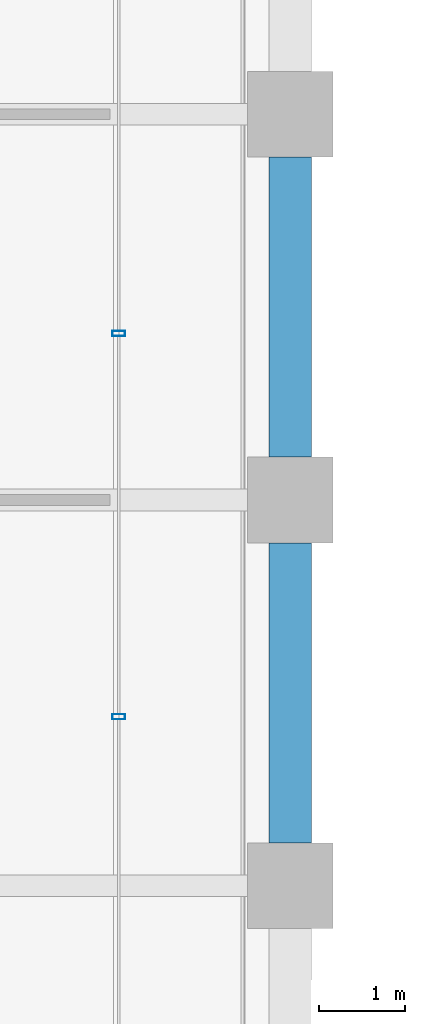
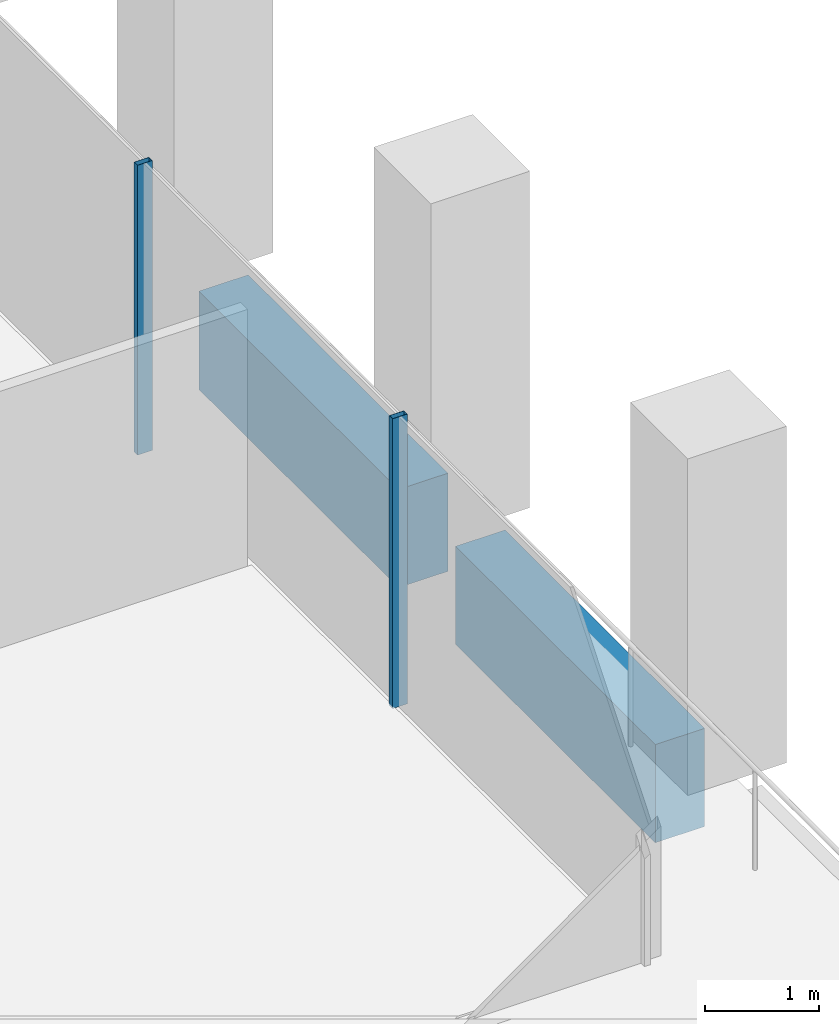
# One storey, part 15 of 47: 2 beams, 2 members, 1 element without a shape of its own.
"""IFC4 building model written with IfcOpenShell, lengths in metres."""

from ifc_helpers import new_model, si_unit, direction, frame, origin, origin_2d, place, context, subcontext, project, spatial, rectangle, hollow_rectangle, extrude, material, material_profile, profile_set, type_object, element, aggregate, save


model = new_model("IFC4")

# Units and contexts
model_context = context("Model", 3, precision=1e-05, world=origin(), true_north=direction((0.0, 1.0)))
body_context = subcontext(model_context, "Body", "Model", "MODEL_VIEW")
ifc_project = project(units=[si_unit("LENGTHUNIT", "METRE"), si_unit("AREAUNIT", "SQUARE_METRE"), si_unit("VOLUMEUNIT", "CUBIC_METRE"), si_unit("PLANEANGLEUNIT", "RADIAN"), si_unit("MASSUNIT", "GRAM", prefix="KILO")], contexts=[model_context])

# Site, building, storey
site_placement = place(None, origin())
site = spatial("IfcSite", under=ifc_project, at=site_placement, CompositionType="ELEMENT")
building_placement = place(site_placement, origin())
building = spatial("IfcBuilding", under=site, at=building_placement, Name="Altepetl Exchange Towers", CompositionType="ELEMENT")
storey_placement = place(building_placement, frame((0.0, 0.0, 95.60009765625)))
storey = spatial("IfcBuildingStorey", under=building, at=storey_placement, Name="L23", CompositionType="ELEMENT", Elevation=95.60009765625)

# Curtain wall, members
ifc_material_1 = material(Name="Aluminium 6063-T6 glazing", Category="aluminium")
curtain_wall_type = type_object("IfcCurtainWallType", Name="Loggia glazing system", PredefinedType="NOTDEFINED", material=ifc_material_1)
curtain_wall_placement = place(storey_placement, origin())
curtain_wall = element("IfcCurtainWall", 1, at=curtain_wall_placement, inside=storey, type_object=curtain_wall_type, Name="CW1 run", PredefinedType="NOTDEFINED")
ifc_material_2 = material(Name="Aluminium 6063-T6", Category="aluminium")
ifc_material_profile_1 = material_profile(ifc_material_2, hollow_rectangle(XDim=0.06005859375, YDim=0.14990234375, WallThickness=0.0029296875, at=origin_2d()), Name="Mullion 60x150 aluminium")
ifc_profile_set_1 = profile_set([ifc_material_profile_1], Name="Aluminium 6063-T6")
member_type = type_object("IfcMemberType", Name="Mullion 60x150 aluminium", PredefinedType="MULLION", material=ifc_profile_set_1)
member_1_placement = place(storey_placement, frame((70.0, 37.970947265625, 0.0), z_axis=(0.0, 0.0, 1.0), x_axis=(0.0, 1.0, 0.0)))
member_1 = element("IfcMember", 2, at=member_1_placement, type_object=member_type, Name="MU1 mullion", PredefinedType="MULLION", context=body_context, shape_type="SweptSolid", body=[
    extrude(hollow_rectangle(XDim=0.06005859375, YDim=0.14990234375, WallThickness=0.0029296875, at=origin_2d()), origin(), (0.0, 0.0, 1.0), 3.099853515625),
])
member_2_placement = place(storey_placement, frame((70.0, 42.44189453125, 0.0), z_axis=(0.0, 0.0, 1.0), x_axis=(0.0, 1.0, 0.0)))
member_2 = element("IfcMember", 3, at=member_2_placement, type_object=member_type, Name="MU1 mullion", PredefinedType="MULLION", context=body_context, shape_type="SweptSolid", body=[
    extrude(hollow_rectangle(XDim=0.06005859375, YDim=0.14990234375, WallThickness=0.0029296875, at=origin_2d()), origin(), (0.0, 0.0, 1.0), 3.099853515625),
])
aggregate(curtain_wall, [member_1, member_2])

# Beams
ifc_material_3 = material(Name="Concrete C50/60 precast with cantera amarilla facing", Category="concrete")
ifc_material_profile_2 = material_profile(ifc_material_3, rectangle(XDim=0.5, YDim=1.050048828125, at=origin_2d()), Name="500 x 1050")
ifc_profile_set_2 = profile_set([ifc_material_profile_2], Name="Concrete C50/60 precast with cantera amarilla facing")
beam_type = type_object("IfcBeamType", Name="Spandrel beam 500x1050 cantera amarilla", PredefinedType="SPANDREL", material=ifc_profile_set_2)
for number, where, z_axis, x_axis, name in (
    (4, (72.0, 36.5, -0.675048828125), (0.0, 1.0, 0.0), (-1.0, 0.0, 0.0), "sp:A:L23:013"),
    (5, (72.0, 41.0, -0.675048828125), (0.0, 1.0, 0.0), (-1.0, 0.0, 0.0), "sp:A:L23:014"),
):
    element("IfcBeam", number, at=place(storey_placement, frame(where, z_axis=z_axis, x_axis=x_axis)), inside=storey, type_object=beam_type, Name=name, PredefinedType="SPANDREL", context=body_context, shape_type="SweptSolid", body=[
        extrude(rectangle(XDim=0.5, YDim=1.050048828125, at=origin_2d()), origin(), (0.0, 0.0, 1.0), 3.5),
    ])

save(model, "model.ifc")
